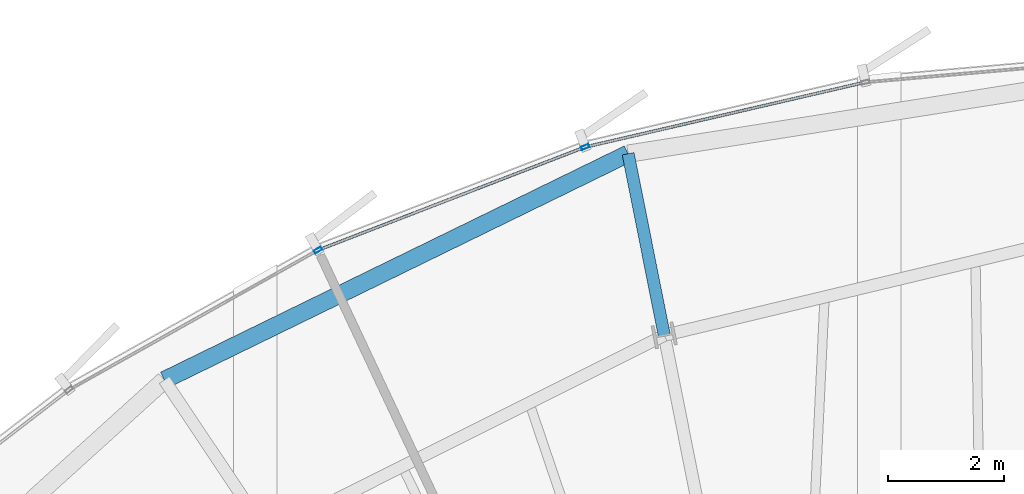
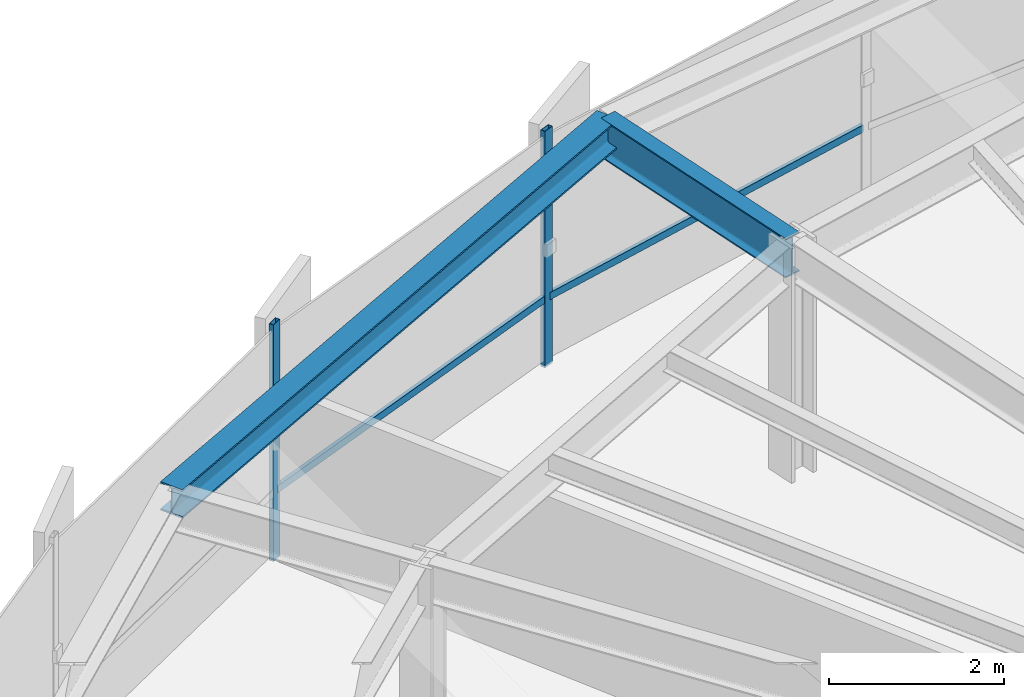
# One storey, part 22 of 35: 4 members, 2 beams, 1 element without a shape of its own.
"""IFC4 building model written with IfcOpenShell, lengths in metres."""

from ifc_helpers import new_model, si_unit, direction, frame, origin, origin_2d, place, context, subcontext, project, spatial, hollow_rectangle, i_section, extrude, source, transform, mapped, material, layer, layer_set, material_profile, profile_set, type_object, element, aggregate, save


model = new_model("IFC4")

# Units and contexts
model_context = context("Model", 3, precision=1e-05, world=origin(), true_north=direction((0.0, 1.0)))
body_context = subcontext(model_context, "Body", "Model", "MODEL_VIEW")
ifc_project = project(units=[si_unit("LENGTHUNIT", "METRE"), si_unit("AREAUNIT", "SQUARE_METRE"), si_unit("VOLUMEUNIT", "CUBIC_METRE"), si_unit("PLANEANGLEUNIT", "RADIAN"), si_unit("MASSUNIT", "GRAM", prefix="KILO"), si_unit("THERMODYNAMICTEMPERATUREUNIT", "KELVIN")], contexts=[model_context])

# Site, building, storey
site_placement = place(None, origin())
site = spatial("IfcSite", under=ifc_project, at=site_placement, CompositionType="ELEMENT")
building_placement = place(site_placement, origin())
building = spatial("IfcBuilding", under=site, at=building_placement, Name="Kethvar Cultural Tower", CompositionType="ELEMENT")
storey_placement = place(building_placement, frame((0.0, 0.0, 135.89990234375)))
storey = spatial("IfcBuildingStorey", under=building, at=storey_placement, Name="L34", CompositionType="ELEMENT", Elevation=135.89990234375)

# Beams
ifc_material_1 = material(Name="Steel S355J2", Category="steel")
ifc_material_profile_1 = material_profile(ifc_material_1, i_section(OverallWidth=0.2099609375, OverallDepth=0.550048828125, WebThickness=0.010986328125, FlangeThickness=0.01708984375, FilletRadius=0.02392578125, at=origin_2d()), Name="Steel S355J2 — IPE550")
ifc_profile_set_1 = profile_set([ifc_material_profile_1], Name="Steel S355J2 — IPE550")
beam_type_1 = type_object("IfcBeamType", Name="BM-IPE550", PredefinedType="BEAM", material=ifc_profile_set_1)
shared_shape_1 = source(origin(), body_context, "Body", "SweptSolid", [
    extrude(i_section(OverallWidth=0.2099609375, OverallDepth=0.550048828125, WebThickness=0.010986328125, FlangeThickness=0.01708984375, FilletRadius=0.02392578125, at=origin_2d()), origin(), (0.0, 0.0, 1.0), 3.199951171875),
])
beam_1_placement = place(storey_placement, frame((42.9189453125, 47.311279296875, 3.023193359375), z_axis=(-0.195088965533, 0.980785550224, 0.0), x_axis=(-0.980785550224, -0.195088965533, 0.0)))
element("IfcBeam", 1, at=beam_1_placement, inside=storey, type_object=beam_type_1, Name="L34 Perimeter Cantilever Beam RC-05", PredefinedType="BEAM", context=body_context, shape_type="MappedRepresentation", body=[
    mapped(shared_shape_1, transform((0.0, 0.0, 0.0), scale=1.0)),
])
ifc_material_profile_2 = material_profile(ifc_material_1, i_section(OverallWidth=0.300048828125, OverallDepth=0.39990234375, WebThickness=0.013427734375, FlangeThickness=0.02392578125, FilletRadius=0.027099609375, at=origin_2d()), Name="Steel S355J2 — HEB400")
ifc_profile_set_2 = profile_set([ifc_material_profile_2], Name="Steel S355J2 — HEB400")
beam_type_2 = type_object("IfcBeamType", Name="BM-SP400", PredefinedType="SPANDREL", material=ifc_profile_set_2)
shared_shape_2 = source(origin(), body_context, "Body", "SweptSolid", [
    extrude(i_section(OverallWidth=0.300048828125, OverallDepth=0.39990234375, WebThickness=0.013427734375, FlangeThickness=0.02392578125, FilletRadius=0.027099609375, at=origin_2d()), origin(), (0.0, 0.0, 1.0), 8.91845703125),
])
beam_2_placement = place(storey_placement, frame((42.294677734375, 50.44970703125, 3.09814453125), z_axis=(-0.898683713341, -0.438597290662, 0.0), x_axis=(0.438597290662, -0.898683713341, 0.0)))
element("IfcBeam", 2, at=beam_2_placement, inside=storey, type_object=beam_type_2, Name="L34 Perimeter Spandrel Beam SP-05", PredefinedType="SPANDREL", context=body_context, shape_type="MappedRepresentation", body=[
    mapped(shared_shape_2, transform((0.0, 0.0, 0.0), scale=1.0)),
])

# Curtain wall, members
ifc_material_2 = material(Name="Aluminium 6063-T6", Category="aluminium")
ifc_layer = layer(ifc_material_2, 0.179931640625, Name="Aluminium 6063-T6", Category="aluminium")
ifc_layer_set = layer_set([ifc_layer], Name="Aluminium 6063-T6 (180 mm)")
curtain_wall_type = type_object("IfcCurtainWallType", Name="CW-SYS-04-Z34", PredefinedType="NOTDEFINED", material=ifc_layer_set)
curtain_wall_placement = place(storey_placement, origin())
curtain_wall = element("IfcCurtainWall", 3, at=curtain_wall_placement, inside=storey, type_object=curtain_wall_type, Name="L34 Curtain Wall Run 02", PredefinedType="NOTDEFINED")
ifc_material_profile_3 = material_profile(ifc_material_2, hollow_rectangle(XDim=0.06005859375, YDim=0.139892578125, WallThickness=0.0048828125, at=origin_2d()), Name="Aluminium 6063-T6 — RHS140x60x5")
ifc_profile_set_3 = profile_set([ifc_material_profile_3], Name="Aluminium 6063-T6 — RHS140x60x5")
member_type_1 = type_object("IfcMemberType", Name="CW-SYS-04-Z34-MUL", PredefinedType="MULLION", material=ifc_profile_set_3)
shared_shape_3 = source(origin(), body_context, "Body", "SweptSolid", [
    extrude(hollow_rectangle(XDim=0.06005859375, YDim=0.139892578125, WallThickness=0.0048828125, at=origin_2d()), origin(), (0.0, 0.0, 1.0), 3.300048828125),
])
member_1_placement = place(storey_placement, frame((41.554443359375, 50.56640625, 0.0), z_axis=(0.0, 0.0, 1.0), x_axis=(0.360241042445, -0.932859255911, 0.0)))
member_1 = element("IfcMember", 4, at=member_1_placement, type_object=member_type_1, Name="CW-L34-R02 Mullion 3", PredefinedType="MULLION", context=body_context, shape_type="MappedRepresentation", body=[
    mapped(shared_shape_3, transform((0.0, 0.0, 0.0), scale=1.0)),
])
member_2_placement = place(storey_placement, frame((36.9345703125, 48.78369140625, 0.0), z_axis=(0.0, 0.0, 1.0), x_axis=(0.489428112518, -0.872043647231, 0.0)))
member_2 = element("IfcMember", 5, at=member_2_placement, type_object=member_type_1, Name="CW-L34-R02 Mullion 4", PredefinedType="MULLION", context=body_context, shape_type="MappedRepresentation", body=[
    mapped(shared_shape_3, transform((0.0, 0.0, 0.0), scale=1.0)),
])
ifc_material_profile_4 = material_profile(ifc_material_2, hollow_rectangle(XDim=0.050048828125, YDim=0.10009765625, WallThickness=0.00390625, at=origin_2d()), Name="Aluminium 6063-T6 — RHS100x50x4")
ifc_profile_set_4 = profile_set([ifc_material_profile_4], Name="Aluminium 6063-T6 — RHS100x50x4")
member_type_2 = type_object("IfcMemberType", Name="CW-SYS-04-Z34-TRN", PredefinedType="USERDEFINED", material=ifc_profile_set_4)
shared_shape_4 = source(origin(), body_context, "Body", "SweptSolid", [
    extrude(hollow_rectangle(XDim=0.050048828125, YDim=0.10009765625, WallThickness=0.00390625, at=origin_2d()), origin(), (0.0, 0.0, 1.0), 4.899658203125),
])
member_3_placement = place(storey_placement, frame((46.355224609375, 51.676513671875, 0.9501953125), z_axis=(-0.974238127236, -0.225521775975, 0.0), x_axis=(0.225521775975, -0.974238127236, 0.0)))
member_3 = element("IfcMember", 6, at=member_3_placement, type_object=member_type_2, Name="CW-L34-R02 Transom 2", ObjectType="TRANSOM", PredefinedType="USERDEFINED", context=body_context, shape_type="MappedRepresentation", body=[
    mapped(shared_shape_4, transform((0.0, 0.0, 0.0), scale=1.0)),
])
shared_shape_5 = source(origin(), body_context, "Body", "SweptSolid", [
    extrude(hollow_rectangle(XDim=0.050048828125, YDim=0.10009765625, WallThickness=0.00390625, at=origin_2d()), origin(), (0.0, 0.0, 1.0), 4.881103515625),
])
member_4_placement = place(storey_placement, frame((41.51416015625, 50.55078125, 0.9501953125), z_axis=(-0.932866522836, -0.360222223873, 0.0), x_axis=(0.360222223873, -0.932866522836, 0.0)))
member_4 = element("IfcMember", 7, at=member_4_placement, type_object=member_type_2, Name="CW-L34-R02 Transom 3", ObjectType="TRANSOM", PredefinedType="USERDEFINED", context=body_context, shape_type="MappedRepresentation", body=[
    mapped(shared_shape_5, transform((0.0, 0.0, 0.0), scale=1.0)),
])
aggregate(curtain_wall, [member_1, member_2, member_3, member_4])

save(model, "model.ifc")
